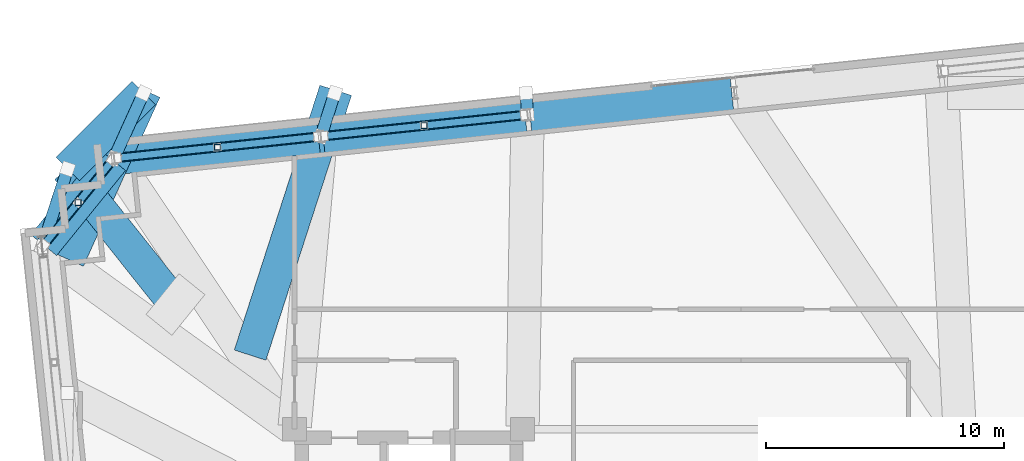
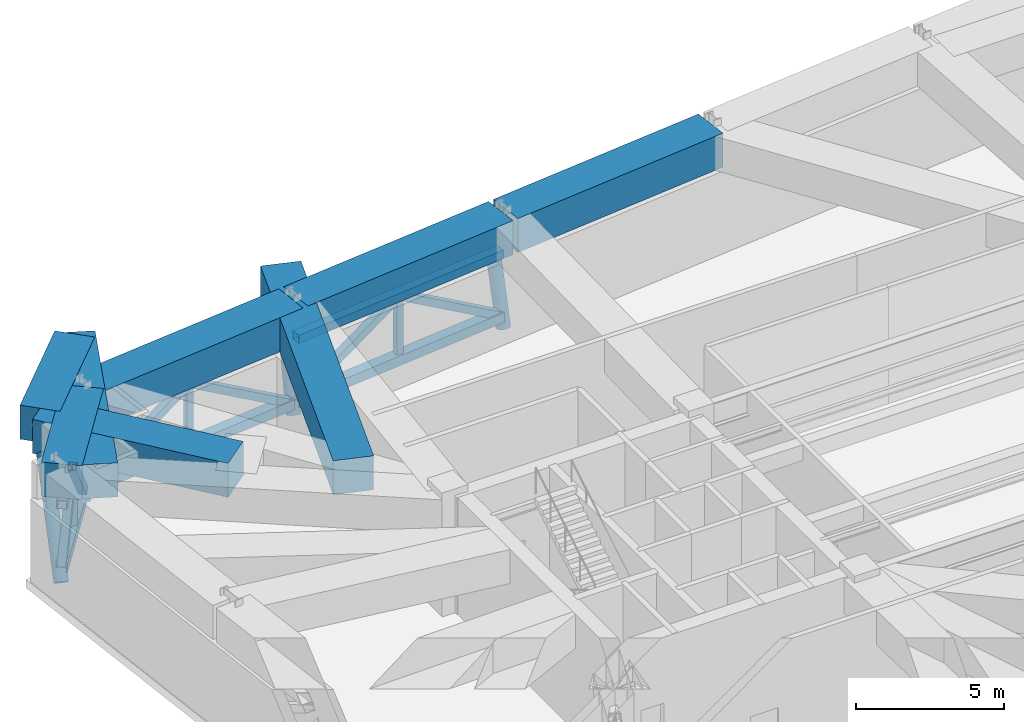
# One storey, part 13 of 23: 19 members, 8 beams.
"""IFC4 building model written with IfcOpenShell, lengths in metres."""

from ifc_helpers import new_model, si_unit, direction, frame, origin, origin_2d, place, context, subcontext, project, spatial, rectangle, hollow_rectangle, hollow_circle, extrude, material, material_profile, profile_set, type_object, element, save


model = new_model("IFC4")

# Units and contexts
model_context = context("Model", 3, precision=1e-05, world=origin(), true_north=direction((0.0, 1.0)))
body_context = subcontext(model_context, "Body", "Model", "MODEL_VIEW")
ifc_project = project(units=[si_unit("LENGTHUNIT", "METRE"), si_unit("AREAUNIT", "SQUARE_METRE"), si_unit("VOLUMEUNIT", "CUBIC_METRE"), si_unit("PLANEANGLEUNIT", "RADIAN"), si_unit("MASSUNIT", "GRAM", prefix="KILO")], contexts=[model_context])

# Site, building, storey
site_placement = place(None, origin())
site = spatial("IfcSite", under=ifc_project, at=site_placement, CompositionType="ELEMENT")
building_placement = place(site_placement, origin())
building = spatial("IfcBuilding", under=site, at=building_placement, Name="Qobustan Lattice House", CompositionType="ELEMENT")
storey_placement = place(building_placement, frame((0.0, 0.0, 125.89990234375)))
storey = spatial("IfcBuildingStorey", under=building, at=storey_placement, Name="L35", CompositionType="ELEMENT", Elevation=125.89990234375)

# Beams
ifc_material_1 = material(Name="Concrete C60/75", Category="concrete")
ifc_material_profile_1 = material_profile(ifc_material_1, rectangle(XDim=1.39990234375, YDim=1.39990234375, at=origin_2d()), Name="RC1400x1400")
ifc_profile_set_1 = profile_set([ifc_material_profile_1], Name="Concrete C60/75")
beam_type = type_object("IfcBeamType", Name="BM-TRG-RC1400", PredefinedType="USERDEFINED", material=ifc_profile_set_1)
beam_1_placement = place(storey_placement, frame((-0.38623046875, 19.740478515625, 4.1201171875), z_axis=(-0.994523900076, -0.104509387989, 0.0), x_axis=(0.104509387989, -0.994523900076, 0.0)))
element("IfcBeam", 1, at=beam_1_placement, inside=storey, type_object=beam_type, Name="L35 TT2 lower perimeter transfer girder N4-N5", ObjectType="GIRDER", PredefinedType="USERDEFINED", context=body_context, shape_type="SweptSolid", body=[
    extrude(rectangle(XDim=1.39990234375, YDim=1.39990234375, at=origin_2d()), origin(), (0.0, 0.0, 1.0), 8.550048828125),
])
beam_2_placement = place(storey_placement, frame((-9.08837890625, 18.825927734375, 4.1201171875), z_axis=(-0.994523588185, -0.104512355942, 0.0), x_axis=(0.104512355942, -0.994523588185, 0.0)))
element("IfcBeam", 2, at=beam_2_placement, inside=storey, type_object=beam_type, Name="L35 TT2 lower perimeter transfer girder N5-N6", ObjectType="GIRDER", PredefinedType="USERDEFINED", context=body_context, shape_type="SweptSolid", body=[
    extrude(rectangle(XDim=1.39990234375, YDim=1.39990234375, at=origin_2d()), origin(), (0.0, 0.0, 1.0), 8.5498046875),
])
beam_3_placement = place(storey_placement, frame((-17.790283203125, 17.911376953125, 4.1201171875), z_axis=(-0.994520931815, -0.104537630462, 0.0), x_axis=(0.104537630462, -0.994520931815, 0.0)))
element("IfcBeam", 3, at=beam_3_placement, inside=storey, type_object=beam_type, Name="L35 TT2 lower perimeter transfer girder N6-N7", ObjectType="GIRDER", PredefinedType="USERDEFINED", context=body_context, shape_type="SweptSolid", body=[
    extrude(rectangle(XDim=1.39990234375, YDim=1.39990234375, at=origin_2d()), origin(), (0.0, 0.0, 1.0), 8.550048828125),
])
beam_4_placement = place(storey_placement, frame((-26.455810546875, 16.929443359375, 4.1201171875), z_axis=(-0.629329286597, -0.7771387579, 0.0), x_axis=(0.7771387579, -0.629329286597, 0.0)))
element("IfcBeam", 4, at=beam_4_placement, inside=storey, type_object=beam_type, Name="L35 TT2 lower perimeter transfer girder N7-W1", ObjectType="GIRDER", PredefinedType="USERDEFINED", context=body_context, shape_type="SweptSolid", body=[
    extrude(rectangle(XDim=1.39990234375, YDim=1.39990234375, at=origin_2d()), origin(), (0.0, 0.0, 1.0), 4.6083984375),
])
beam_5_placement = place(storey_placement, frame((-20.666748046875, 8.71533203125, 4.1201171875), z_axis=(0.307569517204, 0.951525612943, 0.0), x_axis=(-0.951525612943, 0.307569517204, 0.0)))
element("IfcBeam", 5, at=beam_5_placement, inside=storey, type_object=beam_type, Name="L35 TT2 primary column transfer girder N6", ObjectType="GIRDER", PredefinedType="USERDEFINED", context=body_context, shape_type="SweptSolid", body=[
    extrude(rectangle(XDim=1.39990234375, YDim=1.39990234375, at=origin_2d()), origin(), (0.0, 0.0, 1.0), 11.716796875),
])
beam_6_placement = place(storey_placement, frame((-28.323974609375, 12.74560546875, 4.1201171875), z_axis=(0.41272632476, 0.910855082244, 0.0), x_axis=(-0.910855082244, 0.41272632476, 0.0)))
element("IfcBeam", 6, at=beam_6_placement, inside=storey, type_object=beam_type, Name="L35 TT2 primary column transfer girder N7", ObjectType="GIRDER", PredefinedType="USERDEFINED", context=body_context, shape_type="SweptSolid", body=[
    extrude(rectangle(XDim=1.39990234375, YDim=1.39990234375, at=origin_2d()), origin(), (0.0, 0.0, 1.0), 7.81005859375),
])
beam_7_placement = place(storey_placement, frame((-23.932861328125, 11.0029296875, 4.1201171875), z_axis=(-0.622934195118, 0.782274241269, 0.0), x_axis=(-0.782274241269, -0.622934195118, 0.0)))
element("IfcBeam", 7, at=beam_7_placement, inside=storey, type_object=beam_type, Name="L35 TT2 primary column transfer girder W1", ObjectType="GIRDER", PredefinedType="USERDEFINED", context=body_context, shape_type="SweptSolid", body=[
    extrude(rectangle(XDim=1.39990234375, YDim=1.39990234375, at=origin_2d()), origin(), (0.0, 0.0, 1.0), 7.091064453125),
])
beam_8_placement = place(storey_placement, frame((-28.35009765625, 16.550048828125, 4.1201171875), z_axis=(0.707133754038, 0.707079807306, 0.0), x_axis=(-0.707079807306, 0.707133754038, 0.0)))
element("IfcBeam", 8, at=beam_8_placement, inside=storey, type_object=beam_type, Name="L35 TT2 corner transfer edge tie W1-N7", ObjectType="GIRDER", PredefinedType="USERDEFINED", context=body_context, shape_type="SweptSolid", body=[
    extrude(rectangle(XDim=1.39990234375, YDim=1.39990234375, at=origin_2d()), origin(), (0.0, 0.0, 1.0), 4.525634765625),
])

# Members
ifc_material_2 = material(Name="Steel S355", Category="steel")
ifc_material_profile_2 = material_profile(ifc_material_2, hollow_rectangle(XDim=0.300048828125, YDim=0.300048828125, WallThickness=0.01611328125, at=origin_2d()), Name="SHS300x300x16")
ifc_profile_set_2 = profile_set([ifc_material_profile_2], Name="Steel S355")
member_type_1 = type_object("IfcMemberType", Name="MEM-BRC-SHS300", PredefinedType="BRACE", material=ifc_profile_set_2)
for number, where, z_axis, x_axis, name in (
    (9, (-9.08837890625, 18.825927734375, 0.550048828125), (-0.850580197044, -0.089385652957, 0.518192564054), (0.104512355942, -0.994523588185, 0.0), "L35 TT2 belt truss web diagonal N5-N6 A"),
    (10, (-13.33984375, 18.379150390625, 3.14013671875), (-0.850580197044, -0.089385652957, -0.518192564054), (0.104512355942, -0.994523588185, 0.0), "L35 TT2 belt truss web diagonal N5-N6 B"),
):
    element("IfcMember", number, at=place(storey_placement, frame(where, z_axis=z_axis, x_axis=x_axis)), inside=storey, type_object=member_type_1, Name=name, PredefinedType="BRACE", context=body_context, shape_type="SweptSolid", body=[
        extrude(hollow_rectangle(XDim=0.300048828125, YDim=0.300048828125, WallThickness=0.01611328125, at=origin_2d()), origin(), (0.0, 0.0, 1.0), 4.998291015625),
    ])
member_1_placement = place(storey_placement, frame((-17.790283203125, 17.911376953125, 0.550048828125), z_axis=(-0.850593702391, -0.089381939442, 0.518171035812), x_axis=(0.104506420204, -0.994524211941, 0.0)))
element("IfcMember", 11, at=member_1_placement, inside=storey, type_object=member_type_1, Name="L35 TT2 belt truss web diagonal N6-N7 A", PredefinedType="BRACE", context=body_context, shape_type="SweptSolid", body=[
    extrude(hollow_rectangle(XDim=0.300048828125, YDim=0.300048828125, WallThickness=0.01611328125, at=origin_2d()), origin(), (0.0, 0.0, 1.0), 4.99853515625),
])
member_2_placement = place(storey_placement, frame((-22.0419921875, 17.464599609375, 3.14013671875), z_axis=(-0.850576482414, -0.089434107, -0.518190301018), x_axis=(0.104568842204, -0.994517650542, 0.0)))
element("IfcMember", 12, at=member_2_placement, inside=storey, type_object=member_type_1, Name="L35 TT2 belt truss web diagonal N6-N7 B", PredefinedType="BRACE", context=body_context, shape_type="SweptSolid", body=[
    extrude(hollow_rectangle(XDim=0.300048828125, YDim=0.300048828125, WallThickness=0.01611328125, at=origin_2d()), origin(), (0.0, 0.0, 1.0), 4.998291015625),
])
for number, where, z_axis, x_axis, name in (
    (13, (-26.455810546875, 16.929443359375, 0.550048828125), (-0.418328492864, -0.51650187991, 0.747145956362), (0.777091862607, -0.629387191695, 0.0), "L35 TT2 belt truss web diagonal N7-W1 A"),
    (14, (-27.906005859375, 15.138916015625, 3.14013671875), (-0.418255173341, -0.516568731514, -0.747140786998), (0.777185648144, -0.629271378913, 0.0), "L35 TT2 belt truss web diagonal N7-W1 B"),
):
    element("IfcMember", number, at=place(storey_placement, frame(where, z_axis=z_axis, x_axis=x_axis)), inside=storey, type_object=member_type_1, Name=name, PredefinedType="BRACE", context=body_context, shape_type="SweptSolid", body=[
        extrude(hollow_rectangle(XDim=0.300048828125, YDim=0.300048828125, WallThickness=0.01611328125, at=origin_2d()), origin(), (0.0, 0.0, 1.0), 3.466552734375),
    ])
ifc_material_3 = material(Name="Steel S355", Category="steel")
ifc_material_profile_3 = material_profile(ifc_material_3, hollow_rectangle(XDim=0.35009765625, YDim=0.35009765625, WallThickness=0.01611328125, at=origin_2d()), Name="SHS350x350x16")
ifc_profile_set_3 = profile_set([ifc_material_profile_3], Name="Steel S355")
member_type_2 = type_object("IfcMemberType", Name="MEM-CHD-SHS350", PredefinedType="CHORD", material=ifc_profile_set_3)
member_3_placement = place(storey_placement, frame((-9.08837890625, 18.825927734375, 3.14013671875), z_axis=(-0.994523588185, -0.104512355942, 0.0), x_axis=(0.104512355942, -0.994523588185, 0.0)))
element("IfcMember", 15, at=member_3_placement, inside=storey, type_object=member_type_2, Name="L35 TT2 belt truss top chord N5-N6", PredefinedType="CHORD", context=body_context, shape_type="SweptSolid", body=[
    extrude(hollow_rectangle(XDim=0.35009765625, YDim=0.35009765625, WallThickness=0.01611328125, at=origin_2d()), origin(), (0.0, 0.0, 1.0), 8.5498046875),
])
member_4_placement = place(storey_placement, frame((-17.790283203125, 17.911376953125, 3.14013671875), z_axis=(-0.994520931815, -0.104537630462, 0.0), x_axis=(0.104537630462, -0.994520931815, 0.0)))
element("IfcMember", 16, at=member_4_placement, inside=storey, type_object=member_type_2, Name="L35 TT2 belt truss top chord N6-N7", PredefinedType="CHORD", context=body_context, shape_type="SweptSolid", body=[
    extrude(hollow_rectangle(XDim=0.35009765625, YDim=0.35009765625, WallThickness=0.01611328125, at=origin_2d()), origin(), (0.0, 0.0, 1.0), 8.550048828125),
])
member_5_placement = place(storey_placement, frame((-26.455810546875, 16.929443359375, 3.14013671875), z_axis=(-0.629329286597, -0.7771387579, 0.0), x_axis=(0.7771387579, -0.629329286597, 0.0)))
element("IfcMember", 17, at=member_5_placement, inside=storey, type_object=member_type_2, Name="L35 TT2 belt truss top chord N7-W1", PredefinedType="CHORD", context=body_context, shape_type="SweptSolid", body=[
    extrude(hollow_rectangle(XDim=0.35009765625, YDim=0.35009765625, WallThickness=0.01611328125, at=origin_2d()), origin(), (0.0, 0.0, 1.0), 4.6083984375),
])
ifc_material_4 = material(Name="Steel S355", Category="steel")
ifc_material_profile_4 = material_profile(ifc_material_4, hollow_rectangle(XDim=0.39990234375, YDim=0.39990234375, WallThickness=0.02001953125, at=origin_2d()), Name="SHS400x400x20")
ifc_profile_set_4 = profile_set([ifc_material_profile_4], Name="Steel S355")
member_type_3 = type_object("IfcMemberType", Name="MEM-CHD-SHS400", PredefinedType="CHORD", material=ifc_profile_set_4)
member_6_placement = place(storey_placement, frame((-9.08837890625, 18.825927734375, 0.550048828125), z_axis=(-0.994523588185, -0.104512355942, 0.0), x_axis=(0.104512355942, -0.994523588185, 0.0)))
element("IfcMember", 18, at=member_6_placement, inside=storey, type_object=member_type_3, Name="L35 TT2 belt truss bottom chord N5-N6", PredefinedType="CHORD", context=body_context, shape_type="SweptSolid", body=[
    extrude(hollow_rectangle(XDim=0.39990234375, YDim=0.39990234375, WallThickness=0.02001953125, at=origin_2d()), origin(), (0.0, 0.0, 1.0), 8.5498046875),
])
member_7_placement = place(storey_placement, frame((-17.790283203125, 17.911376953125, 0.550048828125), z_axis=(-0.994520931815, -0.104537630462, 0.0), x_axis=(0.104537630462, -0.994520931815, 0.0)))
element("IfcMember", 19, at=member_7_placement, inside=storey, type_object=member_type_3, Name="L35 TT2 belt truss bottom chord N6-N7", PredefinedType="CHORD", context=body_context, shape_type="SweptSolid", body=[
    extrude(hollow_rectangle(XDim=0.39990234375, YDim=0.39990234375, WallThickness=0.02001953125, at=origin_2d()), origin(), (0.0, 0.0, 1.0), 8.550048828125),
])
member_8_placement = place(storey_placement, frame((-26.455810546875, 16.929443359375, 0.550048828125), z_axis=(-0.629329286597, -0.7771387579, 0.0), x_axis=(0.7771387579, -0.629329286597, 0.0)))
element("IfcMember", 20, at=member_8_placement, inside=storey, type_object=member_type_3, Name="L35 TT2 belt truss bottom chord N7-W1", PredefinedType="CHORD", context=body_context, shape_type="SweptSolid", body=[
    extrude(hollow_rectangle(XDim=0.39990234375, YDim=0.39990234375, WallThickness=0.02001953125, at=origin_2d()), origin(), (0.0, 0.0, 1.0), 4.6083984375),
])
ifc_material_5 = material(Name="Steel S355", Category="steel")
ifc_material_profile_5 = material_profile(ifc_material_5, hollow_rectangle(XDim=0.25, YDim=0.25, WallThickness=0.012451171875, at=origin_2d()), Name="SHS250x250x12.5")
ifc_profile_set_5 = profile_set([ifc_material_profile_5], Name="Steel S355")
member_type_4 = type_object("IfcMemberType", Name="MEM-PST-SHS250", PredefinedType="POST", material=ifc_profile_set_5)
for number, where, z_axis, x_axis, name in (
    (21, (-13.33984375, 18.379150390625, 0.550048828125), (0.0, 0.0, 1.0), (1.0, 0.0, 0.0), "L35 TT2 belt truss vertical post N5-N6"),
    (22, (-22.0419921875, 17.464599609375, 0.550048828125), (0.0, 0.0, 1.0), (1.0, 0.0, 0.0), "L35 TT2 belt truss vertical post N6-N7"),
    (23, (-27.906005859375, 15.138916015625, 0.550048828125), (0.0, 0.0, 1.0), (1.0, 0.0, 0.0), "L35 TT2 belt truss vertical post N7-W1"),
):
    element("IfcMember", number, at=place(storey_placement, frame(where, z_axis=z_axis, x_axis=x_axis)), inside=storey, type_object=member_type_4, Name=name, PredefinedType="POST", context=body_context, shape_type="SweptSolid", body=[
        extrude(hollow_rectangle(XDim=0.25, YDim=0.25, WallThickness=0.012451171875, at=origin_2d()), origin(), (0.0, 0.0, 1.0), 2.590087890625),
    ])
ifc_material_6 = material(Name="Steel S355", Category="steel")
ifc_material_profile_6 = material_profile(ifc_material_6, hollow_circle(Radius=0.25390625, WallThickness=0.02001953125, at=origin_2d()), Name="CHS508x20")
ifc_profile_set_6 = profile_set([ifc_material_profile_6], Name="Steel S355")
member_type_5 = type_object("IfcMemberType", Name="MEM-STR-CHS508", PredefinedType="STRUT", material=ifc_profile_set_6)
member_9_placement = place(storey_placement, frame((-8.98876953125, 18.83642578125, 0.01513671875), z_axis=(-0.014569988707, 0.217214732042, 0.976015100095), x_axis=(-0.997757939148, -0.06692604028, 0.0)))
element("IfcMember", 24, at=member_9_placement, inside=storey, type_object=member_type_5, Name="L35 TT2 column transfer strut N5", PredefinedType="STRUT", context=body_context, shape_type="SweptSolid", body=[
    extrude(hollow_circle(Radius=0.25390625, WallThickness=0.02001953125, at=origin_2d()), origin(), (0.0, 0.0, 1.0), 4.205810546875),
])
member_10_placement = place(storey_placement, frame((-17.69091796875, 17.921875, 0.01513671875), z_axis=(0.130356990996, 0.403352540736, 0.905711754799), x_axis=(-0.951540798526, 0.307522533712, 0.0)))
element("IfcMember", 25, at=member_10_placement, inside=storey, type_object=member_type_5, Name="L35 TT2 column transfer strut N6", PredefinedType="STRUT", context=body_context, shape_type="SweptSolid", body=[
    extrude(hollow_circle(Radius=0.25390625, WallThickness=0.02001953125, at=origin_2d()), origin(), (0.0, 0.0, 1.0), 4.5322265625),
])
member_11_placement = place(storey_placement, frame((-26.392822265625, 17.007080078125, 0.01513671875), z_axis=(0.244135711498, 0.538767377466, 0.806304822849), x_axis=(-0.91084896, 0.412739835813, 0.0)))
element("IfcMember", 26, at=member_11_placement, inside=storey, type_object=member_type_5, Name="L35 TT2 column transfer strut N7", PredefinedType="STRUT", context=body_context, shape_type="SweptSolid", body=[
    extrude(hollow_circle(Radius=0.25390625, WallThickness=0.02001953125, at=origin_2d()), origin(), (0.0, 0.0, 1.0), 5.091064453125),
])
member_12_placement = place(storey_placement, frame((-29.4189453125, 13.2705078125, 0.01513671875), z_axis=(0.199345660067, 0.611651496499, 0.765600257734), x_axis=(-0.950778354438, 0.309871781116, 0.0)))
element("IfcMember", 27, at=member_12_placement, inside=storey, type_object=member_type_5, Name="L35 TT2 column transfer strut W1", PredefinedType="STRUT", context=body_context, shape_type="SweptSolid", body=[
    extrude(hollow_circle(Radius=0.25390625, WallThickness=0.02001953125, at=origin_2d()), origin(), (0.0, 0.0, 1.0), 5.36181640625),
])

save(model, "model.ifc")
